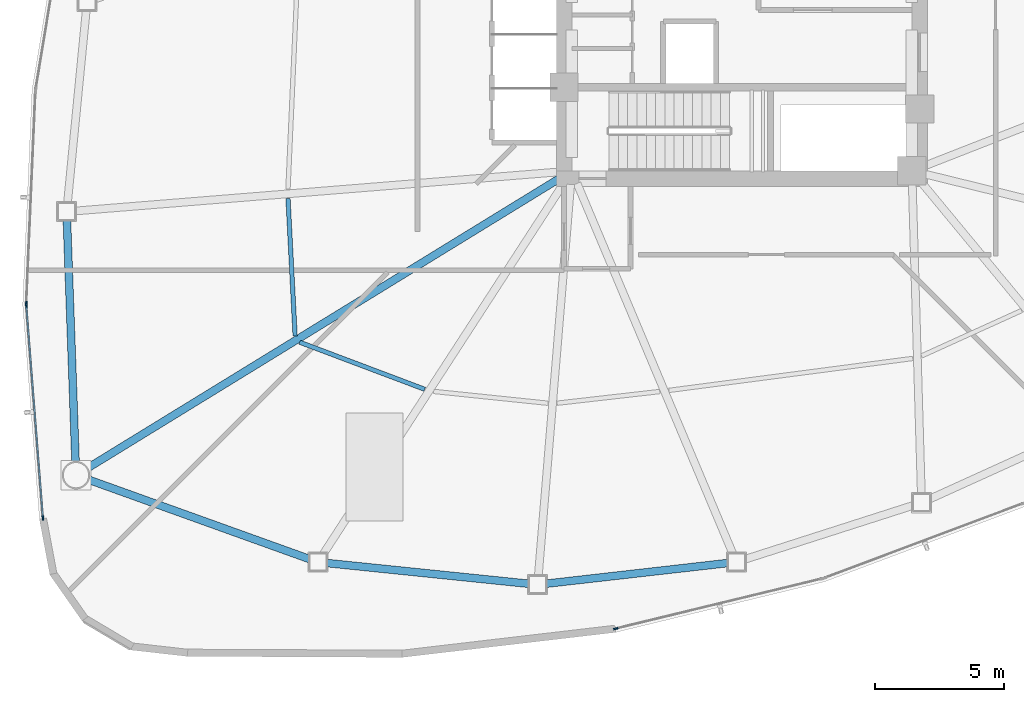
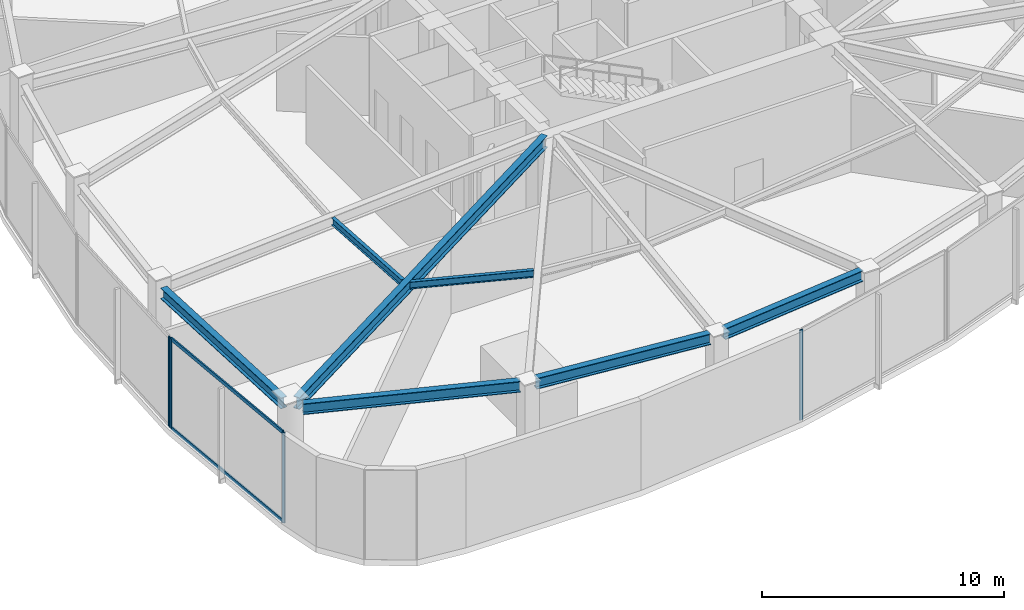
# One storey, part 2 of 16: 7 beams, 6 members, 3 elements without a shape of their own.
"""IFC4 building model written with IfcOpenShell, lengths in metres."""

from ifc_helpers import new_model, si_unit, direction, frame, origin, origin_2d, place, context, subcontext, project, spatial, hollow_rectangle, i_section, extrude, source, transform, mapped, material, layer, layer_set, material_profile, profile_set, type_object, type_shapes, element, aggregate, save


model = new_model("IFC4")

# Units and contexts
model_context = context("Model", 3, precision=1e-05, world=origin(), true_north=direction((0.0, 1.0)))
body_context = subcontext(model_context, "Body", "Model", "MODEL_VIEW")
ifc_project = project(units=[si_unit("LENGTHUNIT", "METRE"), si_unit("AREAUNIT", "SQUARE_METRE"), si_unit("VOLUMEUNIT", "CUBIC_METRE"), si_unit("PLANEANGLEUNIT", "RADIAN"), si_unit("MASSUNIT", "GRAM", prefix="KILO")], contexts=[model_context])

# Site, building, storey
site_placement = place(None, origin())
site = spatial("IfcSite", under=ifc_project, at=site_placement, CompositionType="ELEMENT")
building_placement = place(site_placement, origin())
building = spatial("IfcBuilding", under=site, at=building_placement, Name="Tavelor Broadcast Tower", CompositionType="ELEMENT")
storey_placement = place(building_placement, frame((0.0, 0.0, 97.800048828125)))
storey = spatial("IfcBuildingStorey", under=building, at=storey_placement, Name="L23", CompositionType="ELEMENT", Elevation=97.800048828125)

# Beams
ifc_material_1 = material(Name="Steel S355", Category="steel")
ifc_material_profile_1 = material_profile(ifc_material_1, i_section(OverallWidth=0.169921875, OverallDepth=0.360107421875, WebThickness=0.008056640625, FlangeThickness=0.0126953125, at=origin_2d()), Name="IPE 360")
ifc_profile_set_1 = profile_set([ifc_material_profile_1], Name="Steel S355")
beam_type_1 = type_object("IfcBeamType", Name="Composite Floor Joist T2 IPE 360", PredefinedType="JOIST", material=ifc_profile_set_1)
beam_1_placement = place(storey_placement, frame((32.386474609375, 37.72900390625, 4.369873046875), z_axis=(0.051611065527, -0.998667260861, 0.0), x_axis=(0.998667260861, 0.051611065527, 0.0)))
element("IfcBeam", 1, at=beam_1_placement, inside=storey, type_object=beam_type_1, Name="L23 Secondary Composite Floor Joist 06", PredefinedType="JOIST", context=body_context, shape_type="SweptSolid", body=[
    extrude(i_section(OverallWidth=0.169921875, OverallDepth=0.360107421875, WebThickness=0.008056640625, FlangeThickness=0.0126953125, at=origin_2d()), origin(), (0.0, 0.0, 1.0), 5.340576171875),
])
beam_2_placement = place(storey_placement, frame((32.8408203125, 32.15087890625, 4.369873046875), z_axis=(0.935788002818, -0.352563205371, 0.0), x_axis=(0.352563205371, 0.935788002818, 0.0)))
element("IfcBeam", 2, at=beam_2_placement, inside=storey, type_object=beam_type_1, Name="L23 Secondary Composite Floor Joist 07", PredefinedType="JOIST", context=body_context, shape_type="SweptSolid", body=[
    extrude(i_section(OverallWidth=0.169921875, OverallDepth=0.360107421875, WebThickness=0.008056640625, FlangeThickness=0.0126953125, at=origin_2d()), origin(), (0.0, 0.0, 1.0), 5.18310546875),
])
ifc_material_profile_2 = material_profile(ifc_material_1, i_section(OverallWidth=0.300048828125, OverallDepth=0.550048828125, WebThickness=0.014892578125, FlangeThickness=0.029052734375, at=origin_2d()), Name="HEB 550")
ifc_profile_set_2 = profile_set([ifc_material_profile_2], Name="Steel S355")
beam_type_2 = type_object("IfcBeamType", Name="Perimeter Spandrel Beam T2 HEB 550", PredefinedType="SPANDREL", material=ifc_profile_set_2)
beam_3_placement = place(storey_placement, frame((23.806640625, 36.880615234375, 4.27490234375), z_axis=(0.035613586899, -0.999365635005, 0.0), x_axis=(0.999365635005, 0.035613586899, 0.0)))
element("IfcBeam", 3, at=beam_3_placement, inside=storey, type_object=beam_type_2, Name="L23 Framed-Tube Ring Spandrel 06", PredefinedType="SPANDREL", context=body_context, shape_type="SweptSolid", body=[
    extrude(i_section(OverallWidth=0.300048828125, OverallDepth=0.550048828125, WebThickness=0.014892578125, FlangeThickness=0.029052734375, at=origin_2d()), origin(), (0.0, 0.0, 1.0), 9.384765625),
])
beam_4_placement = place(storey_placement, frame((24.64111328125, 26.81640625, 4.27490234375), z_axis=(0.941105692238, -0.338112519789, 0.0), x_axis=(0.338112519789, 0.941105692238, 0.0)))
element("IfcBeam", 4, at=beam_4_placement, inside=storey, type_object=beam_type_2, Name="L23 Framed-Tube Ring Spandrel 07", PredefinedType="SPANDREL", context=body_context, shape_type="SweptSolid", body=[
    extrude(i_section(OverallWidth=0.300048828125, OverallDepth=0.550048828125, WebThickness=0.014892578125, FlangeThickness=0.029052734375, at=origin_2d()), origin(), (0.0, 0.0, 1.0), 9.13134765625),
])
beam_5_placement = place(storey_placement, frame((33.885009765625, 23.581298828125, 4.27490234375), z_axis=(0.994770407806, -0.102136358626, 0.0), x_axis=(0.102136358626, 0.994770407806, 0.0)))
element("IfcBeam", 5, at=beam_5_placement, inside=storey, type_object=beam_type_2, Name="L23 Framed-Tube Ring Spandrel 08", PredefinedType="SPANDREL", context=body_context, shape_type="SweptSolid", body=[
    extrude(i_section(OverallWidth=0.300048828125, OverallDepth=0.550048828125, WebThickness=0.014892578125, FlangeThickness=0.029052734375, at=origin_2d()), origin(), (0.0, 0.0, 1.0), 7.895263671875),
])
beam_6_placement = place(storey_placement, frame((42.406982421875, 22.778564453125, 4.27490234375), z_axis=(0.993591905029, 0.113027104096, 0.0), x_axis=(-0.113027104096, 0.993591905029, 0.0)))
element("IfcBeam", 6, at=beam_6_placement, inside=storey, type_object=beam_type_2, Name="L23 Framed-Tube Ring Spandrel 09", PredefinedType="SPANDREL", context=body_context, shape_type="SweptSolid", body=[
    extrude(i_section(OverallWidth=0.300048828125, OverallDepth=0.550048828125, WebThickness=0.014892578125, FlangeThickness=0.029052734375, at=origin_2d()), origin(), (0.0, 0.0, 1.0), 7.09130859375),
])
ifc_material_profile_3 = material_profile(ifc_material_1, i_section(OverallWidth=0.300048828125, OverallDepth=0.60009765625, WebThickness=0.015380859375, FlangeThickness=0.030029296875, at=origin_2d()), Name="HEB 600")
ifc_profile_set_3 = profile_set([ifc_material_profile_3], Name="Steel S355")
beam_type_3 = type_object("IfcBeamType", Name="Radial Floor Girder T2 HEB 600", PredefinedType="BEAM", material=ifc_profile_set_3)
beam_7_placement = place(storey_placement, frame((42.949951171875, 38.523681640625, 4.25), z_axis=(-0.852254843795, -0.52312683092, 0.0), x_axis=(0.52312683092, -0.852254843795, 0.0)))
element("IfcBeam", 7, at=beam_7_placement, inside=storey, type_object=beam_type_3, Name="L23 Radial Primary Floor Girder 07", PredefinedType="BEAM", context=body_context, shape_type="SweptSolid", body=[
    extrude(i_section(OverallWidth=0.300048828125, OverallDepth=0.60009765625, WebThickness=0.015380859375, FlangeThickness=0.030029296875, at=origin_2d()), origin(), (0.0, 0.0, 1.0), 21.5361328125),
])

# Curtain wall, member
ifc_material_2 = material(Name="Architectural Anodized Aluminium", Category="aluminium")
ifc_layer = layer(ifc_material_2, 0.179931640625)
ifc_layer_set = layer_set([ifc_layer], Name="Architectural Anodized Aluminium")
curtain_wall_type = type_object("IfcCurtainWallType", Name="Tower Low-Zone Unitised Curtain Wall CW02", PredefinedType="NOTDEFINED", material=ifc_layer_set)
curtain_wall_1_placement = place(storey_placement, origin())
curtain_wall_1 = element("IfcCurtainWall", 8, at=curtain_wall_1_placement, inside=storey, type_object=curtain_wall_type, Name="L23 Curtain Wall CW02 Run 231", PredefinedType="NOTDEFINED")
ifc_material_profile_4 = material_profile(ifc_material_2, hollow_rectangle(XDim=0.06494140625, YDim=0.179931640625, WallThickness=0.02197265625, at=origin_2d()), Name="RHS 65x180x22")
ifc_profile_set_4 = profile_set([ifc_material_profile_4], Name="Architectural Anodized Aluminium")
member_type_1 = type_object("IfcMemberType", Name="CW02 Extruded Aluminium Mullion 65x180", PredefinedType="MULLION", material=ifc_profile_set_4)
shared_shape_1 = source(origin(), body_context, "Body", "SweptSolid", [
    extrude(hollow_rectangle(XDim=0.06494140625, YDim=0.179931640625, WallThickness=0.02197265625, at=origin_2d()), origin(), (0.0, 0.0, 1.0), 4.550048828125),
])
type_shapes(member_type_1, [shared_shape_1])
member_1_placement = place(storey_placement, frame((22.229248046875, 33.649169921875, 0.0), z_axis=(0.0, 0.0, 1.0), x_axis=(0.999067286944, -0.043180506691, 0.0)))
member_1 = element("IfcMember", 9, at=member_1_placement, type_object=member_type_1, Name="CW02 mullion 2", PredefinedType="MULLION", context=body_context, shape_type="MappedRepresentation", body=[
    mapped(shared_shape_1, transform((0.0, 0.0, 0.0), scale=1.0)),
])
aggregate(curtain_wall_1, [member_1])

# Curtain wall, members
curtain_wall_2_placement = place(storey_placement, origin())
curtain_wall_2 = element("IfcCurtainWall", 10, at=curtain_wall_2_placement, inside=storey, type_object=curtain_wall_type, Name="L23 Curtain Wall CW02 Run 232", PredefinedType="NOTDEFINED")
member_2_placement = place(storey_placement, frame((22.23095703125, 33.554443359375, 0.0), z_axis=(0.0, 0.0, 1.0), x_axis=(0.996949083936, 0.07805462215, 0.0)))
member_2 = element("IfcMember", 11, at=member_2_placement, type_object=member_type_1, Name="CW02 mullion 1", PredefinedType="MULLION", context=body_context, shape_type="MappedRepresentation", body=[
    mapped(shared_shape_1, transform((0.0, 0.0, 0.0), scale=1.0)),
])
member_3_placement = place(storey_placement, frame((22.874755859375, 25.32861328125, 0.0), z_axis=(0.0, 0.0, 1.0), x_axis=(0.996949083936, 0.07805462215, 0.0)))
member_3 = element("IfcMember", 12, at=member_3_placement, type_object=member_type_1, Name="CW02 mullion 2", PredefinedType="MULLION", context=body_context, shape_type="MappedRepresentation", body=[
    mapped(shared_shape_1, transform((0.0, 0.0, 0.0), scale=1.0)),
])

# Curtain wall, member
curtain_wall_3_placement = place(storey_placement, origin())
curtain_wall_3 = element("IfcCurtainWall", 13, at=curtain_wall_3_placement, inside=storey, type_object=curtain_wall_type, Name="L23 Curtain Wall CW02 Run 233", PredefinedType="NOTDEFINED")
member_4_placement = place(storey_placement, frame((45.10791015625, 21.033203125, 0.0), z_axis=(0.0, 0.0, 1.0), x_axis=(-0.235551147434, 0.971861953645, 0.0)))
member_4 = element("IfcMember", 14, at=member_4_placement, type_object=member_type_1, Name="CW02 mullion 1", PredefinedType="MULLION", context=body_context, shape_type="MappedRepresentation", body=[
    mapped(shared_shape_1, transform((0.0, 0.0, 0.0), scale=1.0)),
])
aggregate(curtain_wall_3, [member_4])

# Member
ifc_material_profile_5 = material_profile(ifc_material_2, hollow_rectangle(XDim=0.06494140625, YDim=0.179931640625, WallThickness=0.02197265625, at=origin_2d()), Name="RHS 65x180x22")
ifc_profile_set_5 = profile_set([ifc_material_profile_5], Name="Architectural Anodized Aluminium")
member_type_2 = type_object("IfcMemberType", Name="CW02 Extruded Aluminium Transom 65x180", PredefinedType="USERDEFINED", material=ifc_profile_set_5)
shared_shape_2 = source(origin(), body_context, "Body", "SweptSolid", [
    extrude(hollow_rectangle(XDim=0.06494140625, YDim=0.179931640625, WallThickness=0.02197265625, at=origin_2d()), origin(), (0.0, 0.0, 1.0), 8.185791015625),
])
type_shapes(member_type_2, [shared_shape_2])
member_5_placement = place(storey_placement, frame((22.2333984375, 33.52197265625, 0.032470703125), z_axis=(0.078051170011, -0.99694935421, 0.0), x_axis=(0.99694935421, 0.078051170011, 0.0)))
member_5 = element("IfcMember", 15, at=member_5_placement, type_object=member_type_2, Name="CW02 transom 1.1", ObjectType="TRANSOM", PredefinedType="USERDEFINED", context=body_context, shape_type="MappedRepresentation", body=[
    mapped(shared_shape_2, transform((0.0, 0.0, 0.0), scale=1.0)),
])

member_6_placement = place(storey_placement, frame((22.2333984375, 33.52197265625, 4.517333984375), z_axis=(0.078051170011, -0.99694935421, 0.0), x_axis=(0.99694935421, 0.078051170011, 0.0)))
member_6 = element("IfcMember", 16, at=member_6_placement, type_object=member_type_2, Name="CW02 transom 1.2", ObjectType="TRANSOM", PredefinedType="USERDEFINED", context=body_context, shape_type="MappedRepresentation", body=[
    mapped(shared_shape_2, transform((0.0, 0.0, 0.0), scale=1.0)),
])

aggregate(curtain_wall_2, [member_2, member_3, member_5, member_6])

save(model, "model.ifc")
